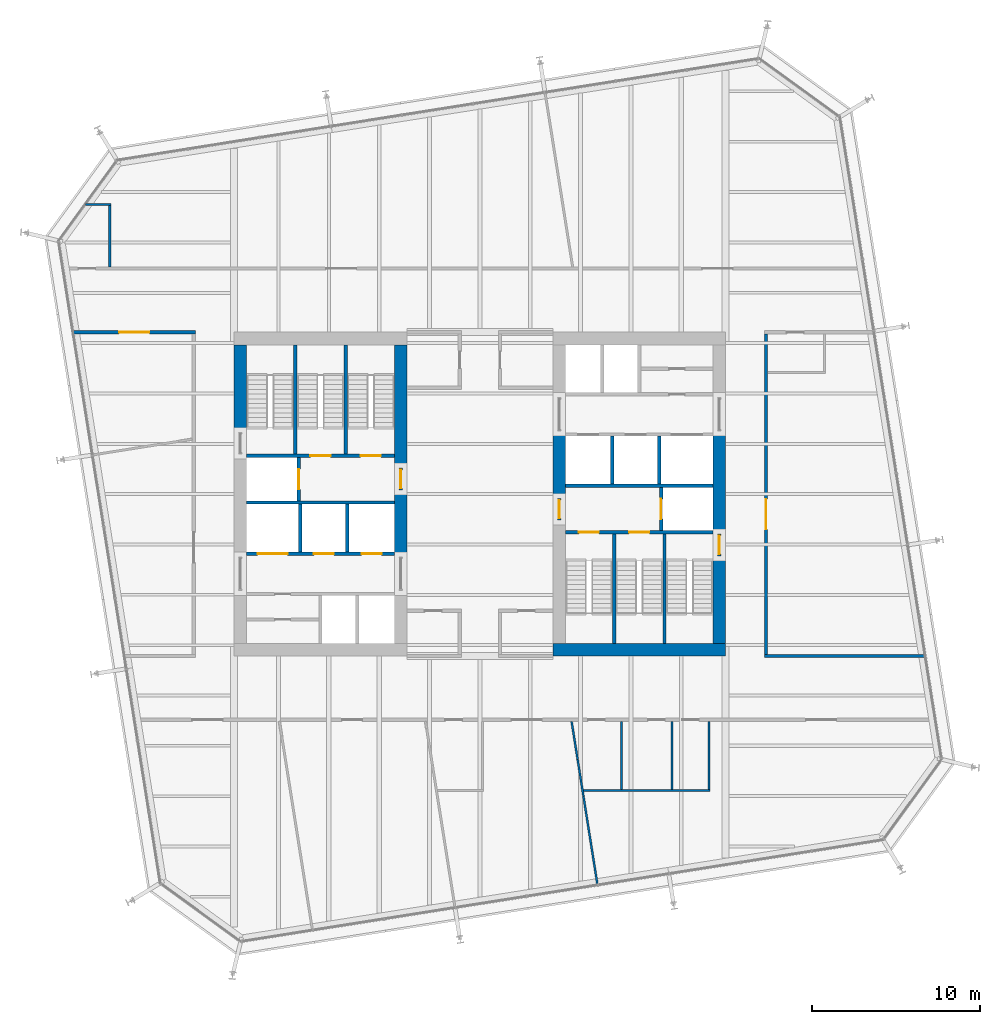
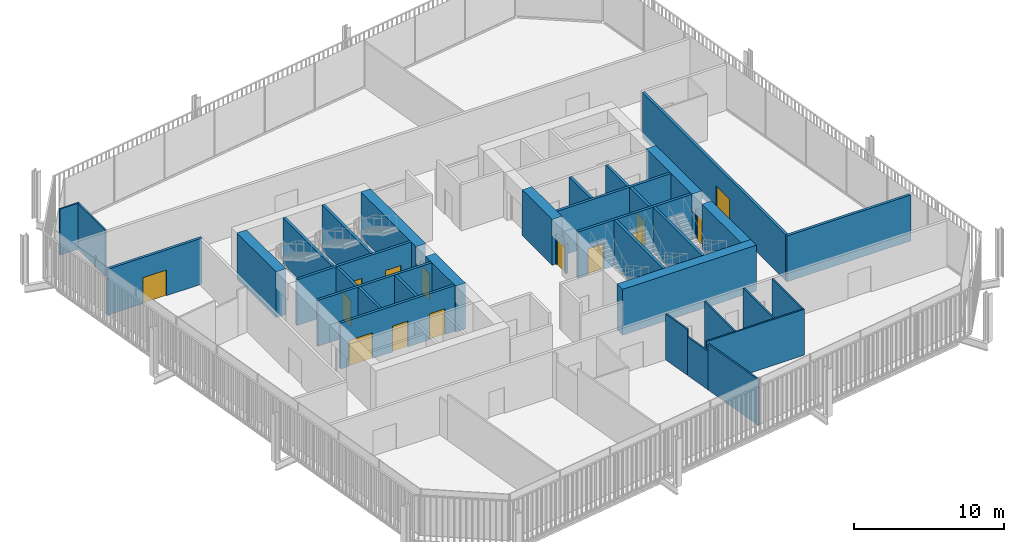
# One storey, part 18 of 21: 37 walls, 14 doors, 14 openings.
"""IFC4 building model written with IfcOpenShell, lengths in metres."""

from ifc_helpers import new_model, si_unit, direction, frame, frame_2d, origin, place, context, subcontext, project, spatial, rectangle, extrude, material, layer, layer_set, type_object, element, fill, save


model = new_model("IFC4")

# Units and contexts
model_context = context("Model", 3, precision=1e-05, world=origin(), true_north=direction((0.0, 1.0)))
body_context = subcontext(model_context, "Body", "Model", "MODEL_VIEW")
ifc_project = project(units=[si_unit("LENGTHUNIT", "METRE"), si_unit("AREAUNIT", "SQUARE_METRE"), si_unit("VOLUMEUNIT", "CUBIC_METRE"), si_unit("PLANEANGLEUNIT", "RADIAN"), si_unit("MASSUNIT", "GRAM", prefix="KILO")], contexts=[model_context])

# Site, building, storey
site_placement = place(None, origin())
site = spatial("IfcSite", under=ifc_project, at=site_placement, CompositionType="ELEMENT")
building_placement = place(site_placement, origin())
building = spatial("IfcBuilding", under=site, at=building_placement, Name="Millrace Tower", CompositionType="ELEMENT")
storey_placement = place(building_placement, frame((0.0, 0.0, 149.0)))
storey = spatial("IfcBuildingStorey", under=building, at=storey_placement, Name="L33", CompositionType="ELEMENT", Elevation=149.0)

# Walls
ifc_material_1 = material(Name="Concrete C70", Category="concrete")
ifc_layer_1 = layer(ifc_material_1, 0.75)
ifc_layer_set_1 = layer_set([ifc_layer_1], Name="Concrete C70")
wall_type_1 = type_object("IfcWallType", Name="Core wall 750 Concrete C70", PredefinedType="SHEAR", material=ifc_layer_set_1)
wall_1_placement = place(storey_placement, frame((-14.27490234375, 3.679931640625, 0.0), z_axis=(0.0, 0.0, 1.0), x_axis=(0.0, 1.0, 0.0)))
element("IfcWall", 1, at=wall_1_placement, inside=storey, type_object=wall_type_1, Name="Core wall W L33", PredefinedType="SHEAR", context=body_context, shape_type="SweptSolid", body=[
    extrude(rectangle(XDim=5.219970703125, YDim=0.75, at=frame_2d((2.60986328125, 0.0))), origin(), (0.0, 0.0, 1.0), 3.739990234375),
])
wall_2_placement = place(storey_placement, frame((-4.72509765625, -3.75, 0.0), z_axis=(0.0, 0.0, 1.0), x_axis=(0.0, 1.0, 0.0)))
element("IfcWall", 2, at=wall_2_placement, inside=storey, type_object=wall_type_1, Name="Core wall W L33", PredefinedType="SHEAR", context=body_context, shape_type="SweptSolid", body=[
    extrude(rectangle(XDim=4.0, YDim=0.75, at=frame_2d((2.0, 0.0))), origin(), (0.0, 0.0, 1.0), 3.739990234375),
])
wall_3_placement = place(storey_placement, frame((-4.72509765625, 1.550048828125, 0.0), z_axis=(0.0, 0.0, 1.0), x_axis=(0.0, 1.0, 0.0)))
element("IfcWall", 3, at=wall_3_placement, inside=storey, type_object=wall_type_1, Name="Core wall W L33", PredefinedType="SHEAR", context=body_context, shape_type="SweptSolid", body=[
    extrude(rectangle(XDim=7.349853515625, YDim=0.75, at=frame_2d((3.6748046875, 0.0))), origin(), (0.0, 0.0, 1.0), 3.739990234375),
])
wall_4_placement = place(storey_placement, frame((14.64990234375, -9.27490234375, 0.0), z_axis=(0.0, 0.0, 1.0), x_axis=(-1.0, 0.0, 0.0)))
element("IfcWall", 4, at=wall_4_placement, inside=storey, type_object=wall_type_1, Name="Core wall E L33", PredefinedType="SHEAR", context=body_context, shape_type="SweptSolid", body=[
    extrude(rectangle(XDim=10.2998046875, YDim=0.75, at=frame_2d((5.14990234375, 0.0))), origin(), (0.0, 0.0, 1.0), 3.739990234375),
])
wall_5_placement = place(storey_placement, frame((14.27490234375, 3.75, 0.0), z_axis=(0.0, 0.0, 1.0), x_axis=(0.0, -1.0, 0.0)))
element("IfcWall", 5, at=wall_5_placement, inside=storey, type_object=wall_type_1, Name="Core wall E L33", PredefinedType="SHEAR", context=body_context, shape_type="SweptSolid", body=[
    extrude(rectangle(XDim=6.1298828125, YDim=0.75, at=frame_2d((3.06494140625, 0.0))), origin(), (0.0, 0.0, 1.0), 3.739990234375),
])
wall_6_placement = place(storey_placement, frame((14.27490234375, -3.679931640625, 0.0), z_axis=(0.0, 0.0, 1.0), x_axis=(0.0, -1.0, 0.0)))
element("IfcWall", 6, at=wall_6_placement, inside=storey, type_object=wall_type_1, Name="Core wall E L33", PredefinedType="SHEAR", context=body_context, shape_type="SweptSolid", body=[
    extrude(rectangle(XDim=5.219970703125, YDim=0.75, at=frame_2d((2.60986328125, 0.0))), origin(), (0.0, 0.0, 1.0), 3.739990234375),
])
wall_7_placement = place(storey_placement, frame((4.72509765625, 3.75, 0.0), z_axis=(0.0, 0.0, 1.0), x_axis=(0.0, -1.0, 0.0)))
element("IfcWall", 7, at=wall_7_placement, inside=storey, type_object=wall_type_1, Name="Core wall E L33", PredefinedType="SHEAR", context=body_context, shape_type="SweptSolid", body=[
    extrude(rectangle(XDim=4.0, YDim=0.75, at=frame_2d((2.0, 0.0))), origin(), (0.0, 0.0, 1.0), 3.739990234375),
])
ifc_material_2 = material(Name="Masonry partition, fire-rated", Category="masonry")
ifc_layer_2 = layer(ifc_material_2, 0.199951171875)
ifc_layer_set_2 = layer_set([ifc_layer_2], Name="Masonry partition, fire-rated")
wall_type_2 = type_object("IfcWallType", Name="Corridor wall 200", PredefinedType="PARTITIONING", material=ifc_layer_set_2)
wall_8_placement = place(storey_placement, frame((16.949951171875, -9.64990234375, 0.0), z_axis=(0.0, 0.0, 1.0), x_axis=(1.0, 0.0, 0.0)))
element("IfcWall", 8, at=wall_8_placement, inside=storey, type_object=wall_type_2, Name="Corridor wall L33", PredefinedType="PARTITIONING", context=body_context, shape_type="SweptSolid", body=[
    extrude(rectangle(XDim=9.54638671875, YDim=0.199951171875, at=frame_2d((4.773193359375, 0.0))), origin(), (0.0, 0.0, 1.0), 3.739990234375),
])

# Wall, opening, door
wall_9_placement = place(storey_placement, frame((-24.20703125, 9.64990234375, 0.0), z_axis=(0.0, 0.0, 1.0), x_axis=(1.0, 0.0, 0.0)))
wall_9 = element("IfcWall", 9, at=wall_9_placement, inside=storey, type_object=wall_type_2, Name="Corridor wall L33", PredefinedType="PARTITIONING", context=body_context, shape_type="SweptSolid", body=[
    extrude(rectangle(XDim=7.257080078125, YDim=0.199951171875, at=frame_2d((3.62841796875, 0.0))), origin(), (0.0, 0.0, 1.0), 3.739990234375),
])
opening_1_placement = place(wall_9_placement, frame((2.70361328125, 0.0, 0.0)))
opening_1 = element("IfcOpeningElement", 10, at=opening_1_placement, cuts=wall_9, Name="Opening 33-P019", PredefinedType="OPENING", context=body_context, shape_type="SweptSolid", body=[
    extrude(rectangle(XDim=1.800048828125, YDim=2.10009765625, at=frame_2d((0.89990234375, 1.050048828125))), frame((0.0, 0.10986328125, 0.0), z_axis=(0.0, -1.0, 0.0), x_axis=(1.0, 0.0, 0.0)), (0.0, 0.0, 1.0), 0.219970703125),
])
ifc_material_3 = material(Name="Steel door set, fire-rated", Category="steel")
door_type_1 = type_object("IfcDoorType", Name="Corridor door 1800 x 2100", OperationType="DOUBLE_DOOR_SINGLE_SWING", PredefinedType="DOOR", material=ifc_material_3)
door_1_placement = place(opening_1_placement, frame((1.800048828125, 0.0, 0.0), z_axis=(0.0, 0.0, 1.0), x_axis=(-1.0, 0.0, 0.0)))
door_1 = element("IfcDoor", 11, at=door_1_placement, inside=storey, type_object=door_type_1, Name="Door 33-P019", OperationType="DOUBLE_DOOR_SINGLE_SWING", OverallHeight=2.10009765625, OverallWidth=1.800048828125, PredefinedType="DOOR", context=body_context, shape_type="SweptSolid", body=[
    extrude(rectangle(XDim=1.800048828125, YDim=2.10009765625, at=frame_2d((0.89990234375, 1.050048828125))), frame((0.0, 0.02490234375, 0.0), z_axis=(0.0, -1.0, 0.0), x_axis=(1.0, 0.0, 0.0)), (0.0, 0.0, 1.0), 0.050048828125),
])
fill(opening_1, door_1)

wall_10_placement = place(storey_placement, frame((17.050048828125, -9.550048828125, 0.0), z_axis=(0.0, 0.0, 1.0), x_axis=(0.0, 1.0, 0.0)))
wall_10 = element("IfcWall", 12, at=wall_10_placement, inside=storey, type_object=wall_type_2, Name="Corridor wall L33", PredefinedType="PARTITIONING", context=body_context, shape_type="SweptSolid", body=[
    extrude(rectangle(XDim=19.10009765625, YDim=0.199951171875, at=frame_2d((9.550048828125, 0.0))), origin(), (0.0, 0.0, 1.0), 3.739990234375),
])
opening_2_placement = place(wall_10_placement, frame((7.449951171875, 0.0, 0.0)))
opening_2 = element("IfcOpeningElement", 13, at=opening_2_placement, cuts=wall_10, Name="Opening 33-P008", PredefinedType="OPENING", context=body_context, shape_type="SweptSolid", body=[
    extrude(rectangle(XDim=1.800048828125, YDim=2.10009765625, at=frame_2d((0.89990234375, 1.050048828125))), frame((0.0, 0.10986328125, 0.0), z_axis=(0.0, -1.0, 0.0), x_axis=(1.0, 0.0, 0.0)), (0.0, 0.0, 1.0), 0.219970703125),
])
door_2_placement = place(opening_2_placement, frame((1.800048828125, 0.0, 0.0), z_axis=(0.0, 0.0, 1.0), x_axis=(-1.0, 0.0, 0.0)))
door_2 = element("IfcDoor", 14, at=door_2_placement, inside=storey, type_object=door_type_1, Name="Door 33-P008", OperationType="DOUBLE_DOOR_SINGLE_SWING", OverallHeight=2.10009765625, OverallWidth=1.800048828125, PredefinedType="DOOR", context=body_context, shape_type="SweptSolid", body=[
    extrude(rectangle(XDim=1.800048828125, YDim=2.10009765625, at=frame_2d((0.89990234375, 1.050048828125))), frame((0.0, 0.02490234375, 0.0), z_axis=(0.0, -1.0, 0.0), x_axis=(1.0, 0.0, 0.0)), (0.0, 0.0, 1.0), 0.050048828125),
])
fill(opening_2, door_2)

# Wall, openings, doors
ifc_material_4 = material(Name="Masonry partition, fire-rated", Category="masonry")
ifc_layer_3 = layer(ifc_material_4, 0.199951171875)
ifc_layer_set_3 = layer_set([ifc_layer_3], Name="Masonry partition, fire-rated")
wall_type_3 = type_object("IfcWallType", Name="Lift shaft wall 200", PredefinedType="PARTITIONING", material=ifc_layer_set_3)
wall_11_placement = place(storey_placement, frame((-13.89990234375, -3.550048828125, 0.0), z_axis=(0.0, 0.0, 1.0), x_axis=(1.0, 0.0, 0.0)))
wall_11 = element("IfcWall", 15, at=wall_11_placement, inside=storey, type_object=wall_type_3, Name="Lift shaft wall W L33", PredefinedType="PARTITIONING", context=body_context, shape_type="SweptSolid", body=[
    extrude(rectangle(XDim=8.7998046875, YDim=0.199951171875, at=frame_2d((4.39990234375, 0.0))), origin(), (0.0, 0.0, 1.0), 3.739990234375),
])
opening_3_placement = place(wall_11_placement, frame((0.64990234375, 0.0, 0.0)))
opening_3 = element("IfcOpeningElement", 16, at=opening_3_placement, cuts=wall_11, Name="Opening 33-LD05", PredefinedType="OPENING", context=body_context, shape_type="SweptSolid", body=[
    extrude(rectangle(XDim=1.800048828125, YDim=2.10009765625, at=frame_2d((0.89990234375, 1.050048828125))), frame((0.0, 0.10986328125, 0.0), z_axis=(0.0, -1.0, 0.0), x_axis=(1.0, 0.0, 0.0)), (0.0, 0.0, 1.0), 0.219970703125),
])
opening_4_placement = place(wall_11_placement, frame((4.0, 0.0, 0.0)))
opening_4 = element("IfcOpeningElement", 17, at=opening_4_placement, cuts=wall_11, Name="Opening 33-LD06", PredefinedType="OPENING", context=body_context, shape_type="SweptSolid", body=[
    extrude(rectangle(XDim=1.199951171875, YDim=2.10009765625, at=frame_2d((0.60009765625, 1.050048828125))), frame((0.0, 0.10986328125, 0.0), z_axis=(0.0, -1.0, 0.0), x_axis=(1.0, 0.0, 0.0)), (0.0, 0.0, 1.0), 0.219970703125),
])
opening_5_placement = place(wall_11_placement, frame((6.85009765625, 0.0, 0.0)))
opening_5 = element("IfcOpeningElement", 18, at=opening_5_placement, cuts=wall_11, Name="Opening 33-LD07", PredefinedType="OPENING", context=body_context, shape_type="SweptSolid", body=[
    extrude(rectangle(XDim=1.199951171875, YDim=2.10009765625, at=frame_2d((0.60009765625, 1.050048828125))), frame((0.0, 0.10986328125, 0.0), z_axis=(0.0, -1.0, 0.0), x_axis=(1.0, 0.0, 0.0)), (0.0, 0.0, 1.0), 0.219970703125),
])
ifc_material_5 = material(Name="Stainless steel, fire-rated", Category="steel")
door_type_2 = type_object("IfcDoorType", Name="Lift landing door 1200 x 2100", OperationType="DOUBLE_DOOR_SLIDING", PredefinedType="DOOR", material=ifc_material_5)
door_3_placement = place(opening_4_placement, origin())
door_3 = element("IfcDoor", 19, at=door_3_placement, inside=storey, type_object=door_type_2, Name="Lift landing door LF6 L33", OperationType="DOUBLE_DOOR_SLIDING", OverallHeight=2.10009765625, OverallWidth=1.199951171875, PredefinedType="DOOR", context=body_context, shape_type="SweptSolid", body=[
    extrude(rectangle(XDim=1.199951171875, YDim=2.10009765625, at=frame_2d((0.60009765625, 1.050048828125))), frame((0.0, 0.02490234375, 0.0), z_axis=(0.0, -1.0, 0.0), x_axis=(1.0, 0.0, 0.0)), (0.0, 0.0, 1.0), 0.050048828125),
])
fill(opening_4, door_3)
door_4_placement = place(opening_5_placement, origin())
door_4 = element("IfcDoor", 20, at=door_4_placement, inside=storey, type_object=door_type_2, Name="Lift landing door LF7 L33", OperationType="DOUBLE_DOOR_SLIDING", OverallHeight=2.10009765625, OverallWidth=1.199951171875, PredefinedType="DOOR", context=body_context, shape_type="SweptSolid", body=[
    extrude(rectangle(XDim=1.199951171875, YDim=2.10009765625, at=frame_2d((0.60009765625, 1.050048828125))), frame((0.0, 0.02490234375, 0.0), z_axis=(0.0, -1.0, 0.0), x_axis=(1.0, 0.0, 0.0)), (0.0, 0.0, 1.0), 0.050048828125),
])
fill(opening_5, door_4)
ifc_material_6 = material(Name="Stainless steel, fire-rated", Category="steel")
door_type_3 = type_object("IfcDoorType", Name="Lift landing door 1800 x 2100", OperationType="DOUBLE_DOOR_SLIDING", PredefinedType="DOOR", material=ifc_material_6)
door_5_placement = place(opening_3_placement, origin())
door_5 = element("IfcDoor", 21, at=door_5_placement, inside=storey, type_object=door_type_3, Name="Lift landing door LF5 L33", OperationType="DOUBLE_DOOR_SLIDING", OverallHeight=2.10009765625, OverallWidth=1.800048828125, PredefinedType="DOOR", context=body_context, shape_type="SweptSolid", body=[
    extrude(rectangle(XDim=1.800048828125, YDim=2.10009765625, at=frame_2d((0.89990234375, 1.050048828125))), frame((0.0, 0.02490234375, 0.0), z_axis=(0.0, -1.0, 0.0), x_axis=(1.0, 0.0, 0.0)), (0.0, 0.0, 1.0), 0.050048828125),
])
fill(opening_3, door_5)

# Wall
wall_12_placement = place(storey_placement, frame((-13.89990234375, -0.5, 0.0), z_axis=(0.0, 0.0, 1.0), x_axis=(1.0, 0.0, 0.0)))
element("IfcWall", 22, at=wall_12_placement, inside=storey, type_object=wall_type_3, Name="Lift shaft wall W L33", PredefinedType="PARTITIONING", context=body_context, shape_type="SweptSolid", body=[
    extrude(rectangle(XDim=8.7998046875, YDim=0.199951171875, at=frame_2d((4.39990234375, 0.0))), origin(), (0.0, 0.0, 1.0), 3.739990234375),
])

# Wall, opening, door
wall_13_placement = place(storey_placement, frame((-10.800048828125, -0.39990234375, 0.0), z_axis=(0.0, 0.0, 1.0), x_axis=(0.0, 1.0, 0.0)))
wall_13 = element("IfcWall", 23, at=wall_13_placement, inside=storey, type_object=wall_type_3, Name="Lift shaft wall W L33", PredefinedType="PARTITIONING", context=body_context, shape_type="SweptSolid", body=[
    extrude(rectangle(XDim=2.579833984375, YDim=0.199951171875, at=frame_2d((1.2900390625, 0.0))), origin(), (0.0, 0.0, 1.0), 3.739990234375),
])
opening_6_placement = place(wall_13_placement, frame((0.68994140625, 0.0, 0.0)))
opening_6 = element("IfcOpeningElement", 24, at=opening_6_placement, cuts=wall_13, Name="Opening 33-LD08", PredefinedType="OPENING", context=body_context, shape_type="SweptSolid", body=[
    extrude(rectangle(XDim=1.199951171875, YDim=2.10009765625, at=frame_2d((0.60009765625, 1.050048828125))), frame((0.0, 0.10986328125, 0.0), z_axis=(0.0, -1.0, 0.0), x_axis=(1.0, 0.0, 0.0)), (0.0, 0.0, 1.0), 0.219970703125),
])
door_6_placement = place(opening_6_placement, origin())
door_6 = element("IfcDoor", 25, at=door_6_placement, inside=storey, type_object=door_type_2, Name="Lift landing door LF8 L33", OperationType="DOUBLE_DOOR_SLIDING", OverallHeight=2.10009765625, OverallWidth=1.199951171875, PredefinedType="DOOR", context=body_context, shape_type="SweptSolid", body=[
    extrude(rectangle(XDim=1.199951171875, YDim=2.10009765625, at=frame_2d((0.60009765625, 1.050048828125))), frame((0.0, 0.02490234375, 0.0), z_axis=(0.0, -1.0, 0.0), x_axis=(1.0, 0.0, 0.0)), (0.0, 0.0, 1.0), 0.050048828125),
])
fill(opening_6, door_6)

# Walls
for number, where, z_axis, x_axis, name in (
    (26, (-10.699951171875, -3.449951171875, 0.0), (0.0, 0.0, 1.0), (0.0, 1.0, 0.0), "Lift shaft wall W L33"),
    (27, (-7.89990234375, -3.449951171875, 0.0), (0.0, 0.0, 1.0), (0.0, 1.0, 0.0), "Lift shaft wall W L33"),
):
    element("IfcWall", number, at=place(storey_placement, frame(where, z_axis=z_axis, x_axis=x_axis)), inside=storey, type_object=wall_type_3, Name=name, PredefinedType="PARTITIONING", context=body_context, shape_type="SweptSolid", body=[
        extrude(rectangle(XDim=2.849853515625, YDim=0.199951171875, at=frame_2d((1.4248046875, 0.0))), origin(), (0.0, 0.0, 1.0), 3.739990234375),
    ])
wall_14_placement = place(storey_placement, frame((13.89990234375, 0.5, 0.0), z_axis=(0.0, 0.0, 1.0), x_axis=(-1.0, 0.0, 0.0)))
element("IfcWall", 28, at=wall_14_placement, inside=storey, type_object=wall_type_3, Name="Lift shaft wall E L33", PredefinedType="PARTITIONING", context=body_context, shape_type="SweptSolid", body=[
    extrude(rectangle(XDim=8.7998046875, YDim=0.199951171875, at=frame_2d((4.39990234375, 0.0))), origin(), (0.0, 0.0, 1.0), 3.739990234375),
])

# Wall, opening, door
wall_15_placement = place(storey_placement, frame((10.800048828125, 0.39990234375, 0.0), z_axis=(0.0, 0.0, 1.0), x_axis=(0.0, -1.0, 0.0)))
wall_15 = element("IfcWall", 29, at=wall_15_placement, inside=storey, type_object=wall_type_3, Name="Lift shaft wall E L33", PredefinedType="PARTITIONING", context=body_context, shape_type="SweptSolid", body=[
    extrude(rectangle(XDim=2.579833984375, YDim=0.199951171875, at=frame_2d((1.2900390625, 0.0))), origin(), (0.0, 0.0, 1.0), 3.739990234375),
])
opening_7_placement = place(wall_15_placement, frame((0.68994140625, 0.0, 0.0)))
opening_7 = element("IfcOpeningElement", 30, at=opening_7_placement, cuts=wall_15, Name="Opening 33-LD16", PredefinedType="OPENING", context=body_context, shape_type="SweptSolid", body=[
    extrude(rectangle(XDim=1.199951171875, YDim=2.10009765625, at=frame_2d((0.60009765625, 1.050048828125))), frame((0.0, 0.10986328125, 0.0), z_axis=(0.0, -1.0, 0.0), x_axis=(1.0, 0.0, 0.0)), (0.0, 0.0, 1.0), 0.219970703125),
])
door_7_placement = place(opening_7_placement, origin())
door_7 = element("IfcDoor", 31, at=door_7_placement, inside=storey, type_object=door_type_2, Name="Lift landing door LF16 L33", OperationType="DOUBLE_DOOR_SLIDING", OverallHeight=2.10009765625, OverallWidth=1.199951171875, PredefinedType="DOOR", context=body_context, shape_type="SweptSolid", body=[
    extrude(rectangle(XDim=1.199951171875, YDim=2.10009765625, at=frame_2d((0.60009765625, 1.050048828125))), frame((0.0, 0.02490234375, 0.0), z_axis=(0.0, -1.0, 0.0), x_axis=(1.0, 0.0, 0.0)), (0.0, 0.0, 1.0), 0.050048828125),
])
fill(opening_7, door_7)

# Walls
for number, where, z_axis, x_axis, name in (
    (32, (10.699951171875, 3.449951171875, 0.0), (0.0, 0.0, 1.0), (0.0, -1.0, 0.0), "Lift shaft wall E L33"),
    (33, (7.89990234375, 3.449951171875, 0.0), (0.0, 0.0, 1.0), (0.0, -1.0, 0.0), "Lift shaft wall E L33"),
):
    element("IfcWall", number, at=place(storey_placement, frame(where, z_axis=z_axis, x_axis=x_axis)), inside=storey, type_object=wall_type_3, Name=name, PredefinedType="PARTITIONING", context=body_context, shape_type="SweptSolid", body=[
        extrude(rectangle(XDim=2.849853515625, YDim=0.199951171875, at=frame_2d((1.4248046875, 0.0))), origin(), (0.0, 0.0, 1.0), 3.739990234375),
    ])

# Wall, opening, door
ifc_material_7 = material(Name="Masonry partition, fire-rated", Category="masonry")
ifc_layer_4 = layer(ifc_material_7, 0.199951171875)
ifc_layer_set_4 = layer_set([ifc_layer_4], Name="Masonry partition, fire-rated")
wall_type_4 = type_object("IfcWallType", Name="Lobby wall 200", PredefinedType="PARTITIONING", material=ifc_layer_set_4)
wall_16_placement = place(storey_placement, frame((-4.72509765625, 0.25, 0.0), z_axis=(0.0, 0.0, 1.0), x_axis=(0.0, 1.0, 0.0)))
wall_16 = element("IfcWall", 34, at=wall_16_placement, inside=storey, type_object=wall_type_4, Name="Lobby wall W L33", PredefinedType="PARTITIONING", context=body_context, shape_type="SweptSolid", body=[
    extrude(rectangle(XDim=1.300048828125, YDim=0.199951171875, at=frame_2d((0.64990234375, 0.0))), origin(), (0.0, 0.0, 1.0), 2.39990234375),
])
opening_8_placement = place(wall_16_placement, frame((0.10009765625, 0.0, 0.0)))
opening_8 = element("IfcOpeningElement", 35, at=opening_8_placement, cuts=wall_16, Name="Opening 33-C004", PredefinedType="OPENING", context=body_context, shape_type="SweptSolid", body=[
    extrude(rectangle(XDim=1.10009765625, YDim=2.10009765625, at=frame_2d((0.550048828125, 1.050048828125))), frame((0.0, 0.10986328125, 0.0), z_axis=(0.0, -1.0, 0.0), x_axis=(1.0, 0.0, 0.0)), (0.0, 0.0, 1.0), 0.219970703125),
])
ifc_material_8 = material(Name="Steel door, fire-rated", Category="steel")
door_type_4 = type_object("IfcDoorType", Name="Lobby door 1100 x 2100", OperationType="SINGLE_SWING_LEFT", PredefinedType="DOOR", material=ifc_material_8)
door_8_placement = place(opening_8_placement, origin())
door_8 = element("IfcDoor", 36, at=door_8_placement, inside=storey, type_object=door_type_4, Name="Lobby door 33-C004", OperationType="SINGLE_SWING_RIGHT", OverallHeight=2.10009765625, OverallWidth=1.10009765625, PredefinedType="DOOR", context=body_context, shape_type="SweptSolid", body=[
    extrude(rectangle(XDim=1.10009765625, YDim=2.10009765625, at=frame_2d((0.550048828125, 1.050048828125))), frame((0.0, 0.02490234375, 0.0), z_axis=(0.0, -1.0, 0.0), x_axis=(1.0, 0.0, 0.0)), (0.0, 0.0, 1.0), 0.050048828125),
])
fill(opening_8, door_8)

wall_17_placement = place(storey_placement, frame((4.72509765625, -0.25, 0.0), z_axis=(0.0, 0.0, 1.0), x_axis=(0.0, -1.0, 0.0)))
wall_17 = element("IfcWall", 37, at=wall_17_placement, inside=storey, type_object=wall_type_4, Name="Lobby wall E L33", PredefinedType="PARTITIONING", context=body_context, shape_type="SweptSolid", body=[
    extrude(rectangle(XDim=1.300048828125, YDim=0.199951171875, at=frame_2d((0.64990234375, 0.0))), origin(), (0.0, 0.0, 1.0), 2.39990234375),
])
opening_9_placement = place(wall_17_placement, frame((0.10009765625, 0.0, 0.0)))
opening_9 = element("IfcOpeningElement", 38, at=opening_9_placement, cuts=wall_17, Name="Opening 33-C012", PredefinedType="OPENING", context=body_context, shape_type="SweptSolid", body=[
    extrude(rectangle(XDim=1.10009765625, YDim=2.10009765625, at=frame_2d((0.550048828125, 1.050048828125))), frame((0.0, 0.10986328125, 0.0), z_axis=(0.0, -1.0, 0.0), x_axis=(1.0, 0.0, 0.0)), (0.0, 0.0, 1.0), 0.219970703125),
])
door_9_placement = place(opening_9_placement, origin())
door_9 = element("IfcDoor", 39, at=door_9_placement, inside=storey, type_object=door_type_4, Name="Lobby door 33-C012", OperationType="SINGLE_SWING_LEFT", OverallHeight=2.10009765625, OverallWidth=1.10009765625, PredefinedType="DOOR", context=body_context, shape_type="SweptSolid", body=[
    extrude(rectangle(XDim=1.10009765625, YDim=2.10009765625, at=frame_2d((0.550048828125, 1.050048828125))), frame((0.0, 0.02490234375, 0.0), z_axis=(0.0, -1.0, 0.0), x_axis=(1.0, 0.0, 0.0)), (0.0, 0.0, 1.0), 0.050048828125),
])
fill(opening_9, door_9)

# Walls
ifc_material_9 = material(Name="Gypsum board partition")
ifc_layer_5 = layer(ifc_material_9, 0.1201171875)
ifc_layer_set_5 = layer_set([ifc_layer_5], Name="Gypsum board partition")
wall_type_5 = type_object("IfcWallType", Name="Partition wall 120", PredefinedType="PARTITIONING", material=ifc_layer_set_5)
wall_18_placement = place(storey_placement, frame((5.46728515625, -13.548828125, 0.0), z_axis=(0.0, 0.0, 1.0), x_axis=(0.15651401508, -0.987675737823, 0.0)))
element("IfcWall", 40, at=wall_18_placement, inside=storey, type_object=wall_type_5, Name="Partition wall L33", PredefinedType="PARTITIONING", context=body_context, shape_type="SweptSolid", body=[
    extrude(rectangle(XDim=2.296142578125, YDim=0.1201171875, at=frame_2d((1.14794921875, 0.0))), origin(), (0.0, 0.0, 1.0), 3.739990234375),
])
wall_19_placement = place(storey_placement, frame((5.82666015625, -15.816650390625, 0.0), z_axis=(0.0, 0.0, 1.0), x_axis=(0.156375374173, -0.987697697857, 0.0)))
element("IfcWall", 41, at=wall_19_placement, inside=storey, type_object=wall_type_5, Name="Partition wall L33", PredefinedType="PARTITIONING", context=body_context, shape_type="SweptSolid", body=[
    extrude(rectangle(XDim=2.217041015625, YDim=0.1201171875, at=frame_2d((1.1083984375, 0.0))), origin(), (0.0, 0.0, 1.0), 3.1328125),
])
wall_20_placement = place(storey_placement, frame((6.17333984375, -18.00634765625, 0.0), z_axis=(0.0, 0.0, 1.0), x_axis=(0.156465164323, -0.987683477817, 0.0)))
element("IfcWall", 42, at=wall_20_placement, inside=storey, type_object=wall_type_5, Name="Partition wall L33", PredefinedType="PARTITIONING", context=body_context, shape_type="SweptSolid", body=[
    extrude(rectangle(XDim=5.31298828125, YDim=0.1201171875, at=frame_2d((2.656494140625, 0.0))), origin(), (0.0, 0.0, 1.0), 3.739990234375),
])
wall_21_placement = place(storey_placement, frame((6.17724609375, -17.64990234375, 0.0), z_axis=(0.0, 0.0, 1.0), x_axis=(1.0, 0.0, 0.0)))
element("IfcWall", 43, at=wall_21_placement, inside=storey, type_object=wall_type_5, Name="Partition wall L33", PredefinedType="PARTITIONING", context=body_context, shape_type="SweptSolid", body=[
    extrude(rectangle(XDim=7.53466796875, YDim=0.1201171875, at=frame_2d((3.767333984375, 0.0))), origin(), (0.0, 0.0, 1.0), 3.739990234375),
])
wall_22_placement = place(storey_placement, frame((-23.502197265625, 17.25, 0.0), z_axis=(0.0, 0.0, 1.0), x_axis=(1.0, 0.0, 0.0)))
element("IfcWall", 44, at=wall_22_placement, inside=storey, type_object=wall_type_5, Name="Partition wall L33", PredefinedType="PARTITIONING", context=body_context, shape_type="SweptSolid", body=[
    extrude(rectangle(XDim=1.504150390625, YDim=0.1201171875, at=frame_2d((0.751953125, 0.0))), origin(), (0.0, 0.0, 1.0), 3.739990234375),
])
for number, where, z_axis, x_axis, name in (
    (45, (13.652099609375, -17.590087890625, 0.0), (0.0, 0.0, 1.0), (0.0, 1.0, 0.0), "Partition wall L33"),
    (46, (11.451904296875, -17.590087890625, 0.0), (0.0, 0.0, 1.0), (0.0, 1.0, 0.0), "Partition wall L33"),
    (47, (8.451904296875, -17.590087890625, 0.0), (0.0, 0.0, 1.0), (0.0, 1.0, 0.0), "Partition wall L33"),
):
    element("IfcWall", number, at=place(storey_placement, frame(where, z_axis=z_axis, x_axis=x_axis)), inside=storey, type_object=wall_type_5, Name=name, PredefinedType="PARTITIONING", context=body_context, shape_type="SweptSolid", body=[
        extrude(rectangle(XDim=4.0400390625, YDim=0.1201171875, at=frame_2d((2.02001953125, 0.0))), origin(), (0.0, 0.0, 1.0), 3.739990234375),
    ])
wall_23_placement = place(storey_placement, frame((-22.05810546875, 13.550048828125, 0.0), z_axis=(0.0, 0.0, 1.0), x_axis=(0.0, 1.0, 0.0)))
element("IfcWall", 48, at=wall_23_placement, inside=storey, type_object=wall_type_5, Name="Partition wall L33", PredefinedType="PARTITIONING", context=body_context, shape_type="SweptSolid", body=[
    extrude(rectangle(XDim=3.639892578125, YDim=0.1201171875, at=frame_2d((1.81982421875, 0.0))), origin(), (0.0, 0.0, 1.0), 3.739990234375),
])

# Wall, openings, doors
ifc_material_10 = material(Name="Concrete C40", Category="concrete")
ifc_layer_6 = layer(ifc_material_10, 0.199951171875)
ifc_layer_set_6 = layer_set([ifc_layer_6], Name="Concrete C40")
wall_type_6 = type_object("IfcWallType", Name="Stair enclosure wall 200 Concrete C40", PredefinedType="SHEAR", material=ifc_layer_set_6)
wall_24_placement = place(storey_placement, frame((-13.89990234375, 2.280029296875, 0.0), z_axis=(0.0, 0.0, 1.0), x_axis=(1.0, 0.0, 0.0)))
wall_24 = element("IfcWall", 49, at=wall_24_placement, inside=storey, type_object=wall_type_6, Name="Stair enclosure wall W L33", PredefinedType="SHEAR", context=body_context, shape_type="SweptSolid", body=[
    extrude(rectangle(XDim=8.7998046875, YDim=0.199951171875, at=frame_2d((4.39990234375, 0.0))), origin(), (0.0, 0.0, 1.0), 3.739990234375),
])
opening_10_placement = place(wall_24_placement, frame((3.800048828125, 0.0, 0.0)))
opening_10 = element("IfcOpeningElement", 50, at=opening_10_placement, cuts=wall_24, Name="Opening 33-C007", PredefinedType="OPENING", context=body_context, shape_type="SweptSolid", body=[
    extrude(rectangle(XDim=1.199951171875, YDim=2.10009765625, at=frame_2d((0.60009765625, 1.050048828125))), frame((0.0, 0.10986328125, 0.0), z_axis=(0.0, -1.0, 0.0), x_axis=(1.0, 0.0, 0.0)), (0.0, 0.0, 1.0), 0.219970703125),
])
opening_11_placement = place(wall_24_placement, frame((6.800048828125, 0.0, 0.0)))
opening_11 = element("IfcOpeningElement", 51, at=opening_11_placement, cuts=wall_24, Name="Opening 33-C008", PredefinedType="OPENING", context=body_context, shape_type="SweptSolid", body=[
    extrude(rectangle(XDim=1.199951171875, YDim=2.10009765625, at=frame_2d((0.60009765625, 1.050048828125))), frame((0.0, 0.10986328125, 0.0), z_axis=(0.0, -1.0, 0.0), x_axis=(1.0, 0.0, 0.0)), (0.0, 0.0, 1.0), 0.219970703125),
])
ifc_material_11 = material(Name="Steel door, fire-rated", Category="steel")
door_type_5 = type_object("IfcDoorType", Name="Stair door 1200 x 2100", OperationType="SINGLE_SWING_LEFT", PredefinedType="DOOR", material=ifc_material_11)
door_10_placement = place(opening_10_placement, frame((1.199951171875, 0.0, 0.0), z_axis=(0.0, 0.0, 1.0), x_axis=(-1.0, 0.0, 0.0)))
door_10 = element("IfcDoor", 52, at=door_10_placement, inside=storey, type_object=door_type_5, Name="Stair door 33-C007", OperationType="SINGLE_SWING_RIGHT", OverallHeight=2.10009765625, OverallWidth=1.199951171875, PredefinedType="DOOR", context=body_context, shape_type="SweptSolid", body=[
    extrude(rectangle(XDim=1.199951171875, YDim=2.10009765625, at=frame_2d((0.60009765625, 1.050048828125))), frame((0.0, 0.02490234375, 0.0), z_axis=(0.0, -1.0, 0.0), x_axis=(1.0, 0.0, 0.0)), (0.0, 0.0, 1.0), 0.050048828125),
])
fill(opening_10, door_10)
door_11_placement = place(opening_11_placement, frame((1.199951171875, 0.0, 0.0), z_axis=(0.0, 0.0, 1.0), x_axis=(-1.0, 0.0, 0.0)))
door_11 = element("IfcDoor", 53, at=door_11_placement, inside=storey, type_object=door_type_5, Name="Stair door 33-C008", OperationType="SINGLE_SWING_LEFT", OverallHeight=2.10009765625, OverallWidth=1.199951171875, PredefinedType="DOOR", context=body_context, shape_type="SweptSolid", body=[
    extrude(rectangle(XDim=1.199951171875, YDim=2.10009765625, at=frame_2d((0.60009765625, 1.050048828125))), frame((0.0, 0.02490234375, 0.0), z_axis=(0.0, -1.0, 0.0), x_axis=(1.0, 0.0, 0.0)), (0.0, 0.0, 1.0), 0.050048828125),
])
fill(opening_11, door_11)

# Walls
for number, where, z_axis, x_axis, name in (
    (54, (-11.0, 2.3798828125, 0.0), (0.0, 0.0, 1.0), (0.0, 1.0, 0.0), "Stair enclosure wall W L33"),
    (55, (-8.0, 2.3798828125, 0.0), (0.0, 0.0, 1.0), (0.0, 1.0, 0.0), "Stair enclosure wall W L33"),
):
    element("IfcWall", number, at=place(storey_placement, frame(where, z_axis=z_axis, x_axis=x_axis)), inside=storey, type_object=wall_type_6, Name=name, PredefinedType="SHEAR", context=body_context, shape_type="SweptSolid", body=[
        extrude(rectangle(XDim=6.52001953125, YDim=0.199951171875, at=frame_2d((3.260009765625, 0.0))), origin(), (0.0, 0.0, 1.0), 3.739990234375),
    ])

# Wall, opening, door
wall_25_placement = place(storey_placement, frame((14.27490234375, -2.3798828125, 0.0), z_axis=(0.0, 0.0, 1.0), x_axis=(0.0, -1.0, 0.0)))
wall_25 = element("IfcWall", 56, at=wall_25_placement, inside=storey, type_object=wall_type_6, Name="Stair enclosure wall E L33", PredefinedType="SHEAR", context=body_context, shape_type="SweptSolid", body=[
    extrude(rectangle(XDim=1.300048828125, YDim=0.199951171875, at=frame_2d((0.64990234375, 0.0))), origin(), (0.0, 0.0, 1.0), 2.39990234375),
])
opening_12_placement = place(wall_25_placement, frame((0.10009765625, 0.0, 0.0)))
opening_12 = element("IfcOpeningElement", 57, at=opening_12_placement, cuts=wall_25, Name="Opening 33-C010", PredefinedType="OPENING", context=body_context, shape_type="SweptSolid", body=[
    extrude(rectangle(XDim=1.10009765625, YDim=2.10009765625, at=frame_2d((0.550048828125, 1.050048828125))), frame((0.0, 0.10986328125, 0.0), z_axis=(0.0, -1.0, 0.0), x_axis=(1.0, 0.0, 0.0)), (0.0, 0.0, 1.0), 0.219970703125),
])
ifc_material_12 = material(Name="Steel door, fire-rated", Category="steel")
door_type_6 = type_object("IfcDoorType", Name="Stair door 1100 x 2100", OperationType="SINGLE_SWING_LEFT", PredefinedType="DOOR", material=ifc_material_12)
door_12_placement = place(opening_12_placement, origin())
door_12 = element("IfcDoor", 58, at=door_12_placement, inside=storey, type_object=door_type_6, Name="Stair door 33-C010", OperationType="SINGLE_SWING_LEFT", OverallHeight=2.10009765625, OverallWidth=1.10009765625, PredefinedType="DOOR", context=body_context, shape_type="SweptSolid", body=[
    extrude(rectangle(XDim=1.10009765625, YDim=2.10009765625, at=frame_2d((0.550048828125, 1.050048828125))), frame((0.0, 0.02490234375, 0.0), z_axis=(0.0, -1.0, 0.0), x_axis=(1.0, 0.0, 0.0)), (0.0, 0.0, 1.0), 0.050048828125),
])
fill(opening_12, door_12)

# Wall, openings, doors
wall_26_placement = place(storey_placement, frame((13.89990234375, -2.280029296875, 0.0), z_axis=(0.0, 0.0, 1.0), x_axis=(-1.0, 0.0, 0.0)))
wall_26 = element("IfcWall", 59, at=wall_26_placement, inside=storey, type_object=wall_type_6, Name="Stair enclosure wall E L33", PredefinedType="SHEAR", context=body_context, shape_type="SweptSolid", body=[
    extrude(rectangle(XDim=8.7998046875, YDim=0.199951171875, at=frame_2d((4.39990234375, 0.0))), origin(), (0.0, 0.0, 1.0), 3.739990234375),
])
opening_13_placement = place(wall_26_placement, frame((3.800048828125, 0.0, 0.0)))
opening_13 = element("IfcOpeningElement", 60, at=opening_13_placement, cuts=wall_26, Name="Opening 33-C015", PredefinedType="OPENING", context=body_context, shape_type="SweptSolid", body=[
    extrude(rectangle(XDim=1.199951171875, YDim=2.10009765625, at=frame_2d((0.60009765625, 1.050048828125))), frame((0.0, 0.10986328125, 0.0), z_axis=(0.0, -1.0, 0.0), x_axis=(1.0, 0.0, 0.0)), (0.0, 0.0, 1.0), 0.219970703125),
])
opening_14_placement = place(wall_26_placement, frame((6.800048828125, 0.0, 0.0)))
opening_14 = element("IfcOpeningElement", 61, at=opening_14_placement, cuts=wall_26, Name="Opening 33-C016", PredefinedType="OPENING", context=body_context, shape_type="SweptSolid", body=[
    extrude(rectangle(XDim=1.199951171875, YDim=2.10009765625, at=frame_2d((0.60009765625, 1.050048828125))), frame((0.0, 0.10986328125, 0.0), z_axis=(0.0, -1.0, 0.0), x_axis=(1.0, 0.0, 0.0)), (0.0, 0.0, 1.0), 0.219970703125),
])
door_13_placement = place(opening_13_placement, frame((1.199951171875, 0.0, 0.0), z_axis=(0.0, 0.0, 1.0), x_axis=(-1.0, 0.0, 0.0)))
door_13 = element("IfcDoor", 62, at=door_13_placement, inside=storey, type_object=door_type_5, Name="Stair door 33-C015", OperationType="SINGLE_SWING_RIGHT", OverallHeight=2.10009765625, OverallWidth=1.199951171875, PredefinedType="DOOR", context=body_context, shape_type="SweptSolid", body=[
    extrude(rectangle(XDim=1.199951171875, YDim=2.10009765625, at=frame_2d((0.60009765625, 1.050048828125))), frame((0.0, 0.02490234375, 0.0), z_axis=(0.0, -1.0, 0.0), x_axis=(1.0, 0.0, 0.0)), (0.0, 0.0, 1.0), 0.050048828125),
])
fill(opening_13, door_13)
door_14_placement = place(opening_14_placement, frame((1.199951171875, 0.0, 0.0), z_axis=(0.0, 0.0, 1.0), x_axis=(-1.0, 0.0, 0.0)))
door_14 = element("IfcDoor", 63, at=door_14_placement, inside=storey, type_object=door_type_5, Name="Stair door 33-C016", OperationType="SINGLE_SWING_LEFT", OverallHeight=2.10009765625, OverallWidth=1.199951171875, PredefinedType="DOOR", context=body_context, shape_type="SweptSolid", body=[
    extrude(rectangle(XDim=1.199951171875, YDim=2.10009765625, at=frame_2d((0.60009765625, 1.050048828125))), frame((0.0, 0.02490234375, 0.0), z_axis=(0.0, -1.0, 0.0), x_axis=(1.0, 0.0, 0.0)), (0.0, 0.0, 1.0), 0.050048828125),
])
fill(opening_14, door_14)

# Walls
for number, where, z_axis, x_axis, name in (
    (64, (11.0, -2.3798828125, 0.0), (0.0, 0.0, 1.0), (0.0, -1.0, 0.0), "Stair enclosure wall E L33"),
    (65, (8.0, -2.3798828125, 0.0), (0.0, 0.0, 1.0), (0.0, -1.0, 0.0), "Stair enclosure wall E L33"),
):
    element("IfcWall", number, at=place(storey_placement, frame(where, z_axis=z_axis, x_axis=x_axis)), inside=storey, type_object=wall_type_6, Name=name, PredefinedType="SHEAR", context=body_context, shape_type="SweptSolid", body=[
        extrude(rectangle(XDim=6.52001953125, YDim=0.199951171875, at=frame_2d((3.260009765625, 0.0))), origin(), (0.0, 0.0, 1.0), 3.739990234375),
    ])

save(model, "model.ifc")
